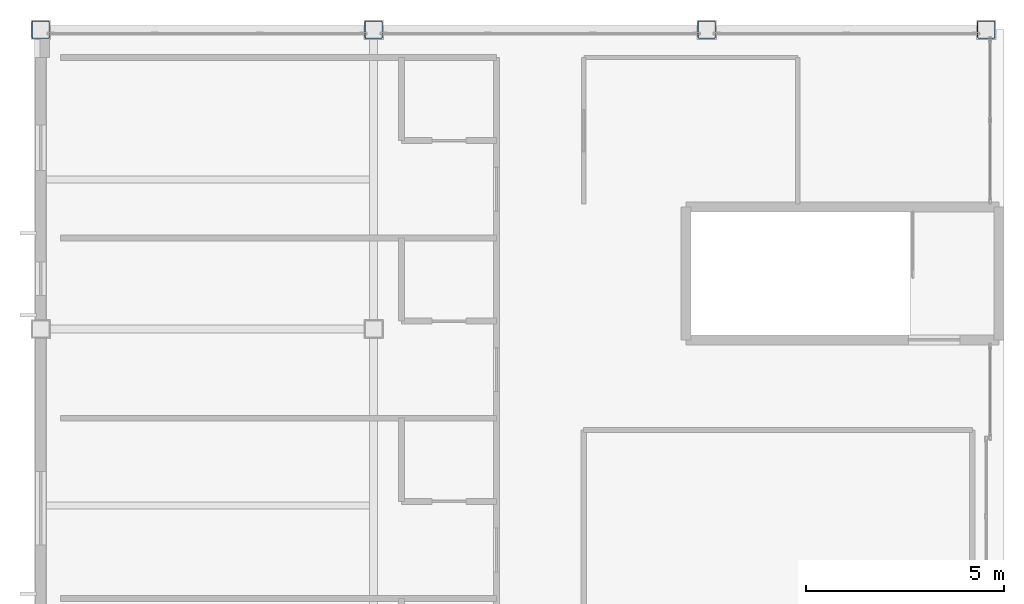
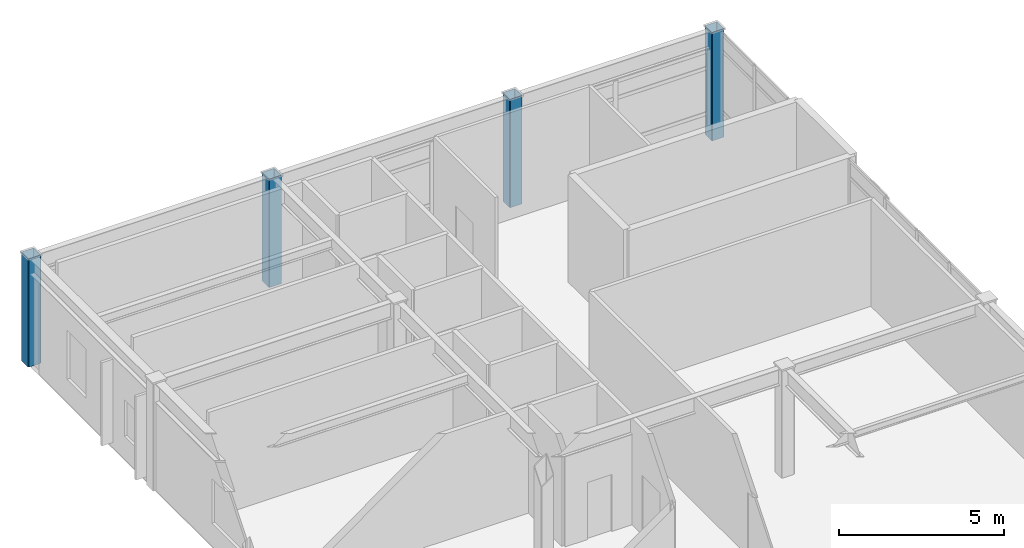
# One storey, part 2 of 34: 4 columns.
"""IFC4 building model written with IfcOpenShell, lengths in metres."""

from ifc_helpers import new_model, si_unit, direction, frame, origin, origin_2d, place, context, subcontext, project, spatial, hollow_rectangle, extrude, material, material_profile, profile_set, type_object, element, save


model = new_model("IFC4")

# Units and contexts
model_context = context("Model", 3, precision=1e-05, world=origin(), true_north=direction((0.0, 1.0)))
body_context = subcontext(model_context, "Body", "Model", "MODEL_VIEW")
ifc_project = project(units=[si_unit("LENGTHUNIT", "METRE"), si_unit("AREAUNIT", "SQUARE_METRE"), si_unit("VOLUMEUNIT", "CUBIC_METRE"), si_unit("PLANEANGLEUNIT", "RADIAN"), si_unit("MASSUNIT", "GRAM", prefix="KILO")], contexts=[model_context])

# Site, building, storey
site_placement = place(None, origin())
site = spatial("IfcSite", under=ifc_project, at=site_placement, CompositionType="ELEMENT")
building_placement = place(site_placement, origin())
building = spatial("IfcBuilding", under=site, at=building_placement, Name="Kazehara Bluff Congress Hotel", CompositionType="ELEMENT")
storey_placement = place(building_placement, frame((0.0, 0.0, 46.199951171875)))
storey = spatial("IfcBuildingStorey", under=building, at=storey_placement, Name="L11", CompositionType="ELEMENT", Elevation=46.199951171875)

# Columns
ifc_material = material(Name="Steel BCR295", Category="steel")
ifc_material_profile = material_profile(ifc_material, hollow_rectangle(XDim=0.449951171875, YDim=0.449951171875, WallThickness=0.01904296875, InnerFilletRadius=0.01904296875, OuterFilletRadius=0.0380859375, at=origin_2d()))
ifc_profile_set = profile_set([ifc_material_profile], Name="Steel BCR295")
column_type = type_object("IfcColumnType", Name="TP-C-08", PredefinedType="COLUMN", material=ifc_profile_set)
for number, where, z_axis, x_axis, name in (
    (1, (143.699951171875, 80.89990234375, 0.0), (0.0, 0.0, 1.0), (1.0, 0.0, 0.0), "L11 column C-08 (143.70,80.90)"),
    (2, (152.10009765625, 80.89990234375, 0.0), (0.0, 0.0, 1.0), (1.0, 0.0, 0.0), "L11 column C-08 (152.10,80.90)"),
    (3, (160.5, 80.89990234375, 0.0), (0.0, 0.0, 1.0), (1.0, 0.0, 0.0), "L11 column C-08 (160.50,80.90)"),
    (4, (167.550048828125, 80.89990234375, 0.0), (0.0, 0.0, 1.0), (1.0, 0.0, 0.0), "L11 column C-08 (167.55,80.90)"),
):
    element("IfcColumn", number, at=place(storey_placement, frame(where, z_axis=z_axis, x_axis=x_axis)), inside=storey, type_object=column_type, Name=name, PredefinedType="COLUMN", context=body_context, shape_type="SweptSolid", body=[
        extrude(hollow_rectangle(XDim=0.449951171875, YDim=0.449951171875, WallThickness=0.01904296875, InnerFilletRadius=0.01904296875, OuterFilletRadius=0.0380859375, at=origin_2d()), origin(), (0.0, 0.0, 1.0), 3.989990234375),
    ])

save(model, "model.ifc")
